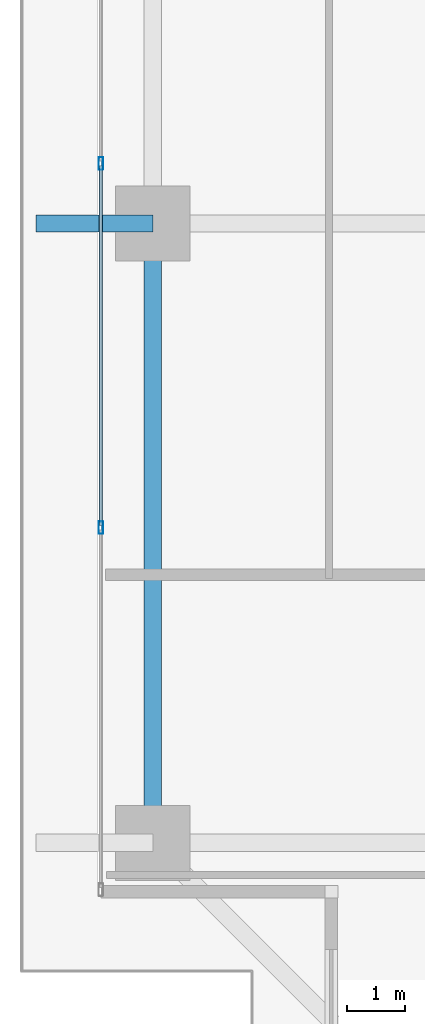
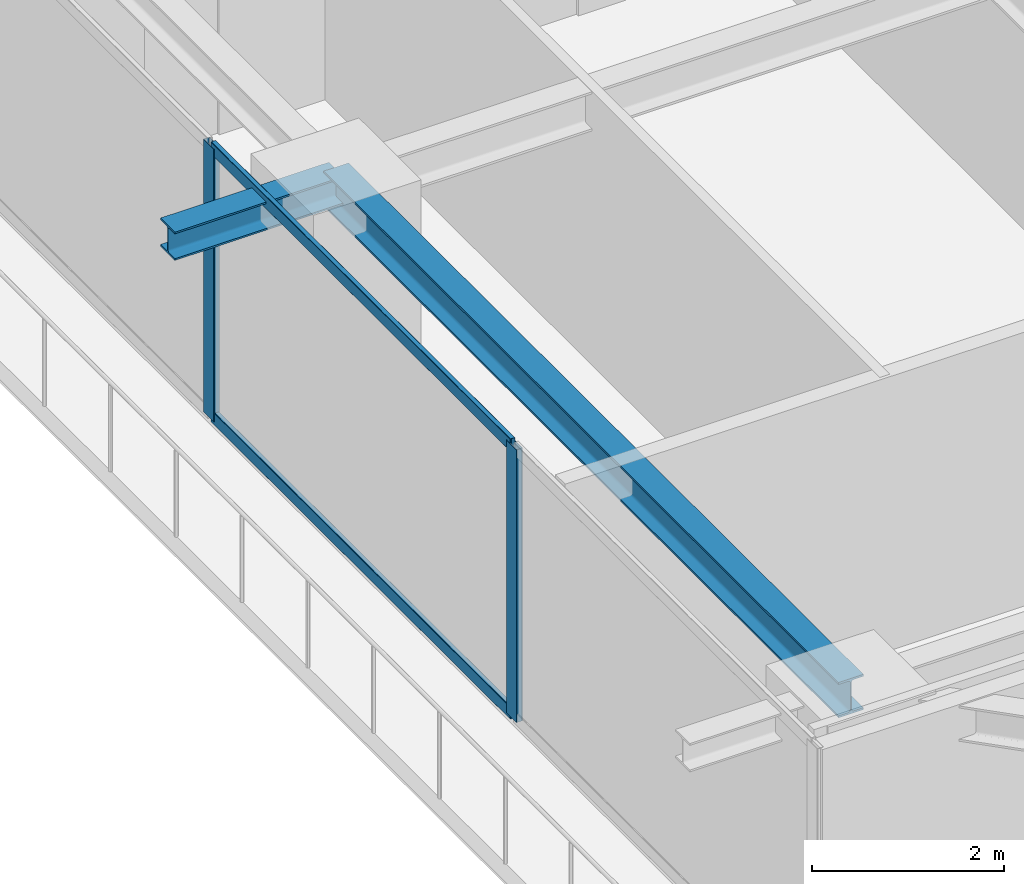
# One storey, part 7 of 35: 4 members, 2 beams, 1 element without a shape of its own.
"""IFC4 building model written with IfcOpenShell, lengths in metres."""

from ifc_helpers import new_model, si_unit, direction, frame, origin, origin_2d, place, context, subcontext, project, spatial, hollow_rectangle, i_section, extrude, source, transform, mapped, material, layer, layer_set, material_profile, profile_set, type_object, element, aggregate, save


model = new_model("IFC4")

# Units and contexts
model_context = context("Model", 3, precision=1e-05, world=origin(), true_north=direction((0.0, 1.0)))
body_context = subcontext(model_context, "Body", "Model", "MODEL_VIEW")
ifc_project = project(units=[si_unit("LENGTHUNIT", "METRE"), si_unit("AREAUNIT", "SQUARE_METRE"), si_unit("VOLUMEUNIT", "CUBIC_METRE"), si_unit("PLANEANGLEUNIT", "RADIAN"), si_unit("MASSUNIT", "GRAM", prefix="KILO")], contexts=[model_context])

# Site, building, storey
site_placement = place(None, origin())
site = spatial("IfcSite", under=ifc_project, at=site_placement, CompositionType="ELEMENT")
building_placement = place(site_placement, origin())
building = spatial("IfcBuilding", under=site, at=building_placement, Name="Serunith Strait Residences", CompositionType="ELEMENT")
storey_placement = place(building_placement, frame((0.0, 0.0, 191.39990234375)))
storey = spatial("IfcBuildingStorey", under=building, at=storey_placement, Name="L48", CompositionType="ELEMENT", Elevation=191.39990234375)

# Beams
ifc_material_1 = material(Name="Steel S355J2", Category="steel")
ifc_material_profile_1 = material_profile(ifc_material_1, i_section(OverallWidth=0.300048828125, OverallDepth=0.449951171875, WebThickness=0.013916015625, FlangeThickness=0.02587890625, FilletRadius=0.027099609375, at=origin_2d()), Name="HEB 450")
ifc_profile_set_1 = profile_set([ifc_material_profile_1], Name="Steel S355J2")
beam_type_1 = type_object("IfcBeamType", Name="BM-HEB450", PredefinedType="BEAM", material=ifc_profile_set_1)
shared_shape_1 = source(origin(), body_context, "Body", "SweptSolid", [
    extrude(i_section(OverallWidth=0.300048828125, OverallDepth=0.449951171875, WebThickness=0.013916015625, FlangeThickness=0.02587890625, FilletRadius=0.027099609375, at=origin_2d()), origin(), (0.0, 0.0, 1.0), 10.75),
])
beam_1_placement = place(storey_placement, frame((8.699951171875, 21.0, 3.26220703125), z_axis=(0.0, -1.0, 0.0), x_axis=(1.0, 0.0, 0.0)))
element("IfcBeam", 1, at=beam_1_placement, inside=storey, type_object=beam_type_1, Name="L48 Perimeter Ring Beam 15", PredefinedType="BEAM", context=body_context, shape_type="MappedRepresentation", body=[
    mapped(shared_shape_1, transform((0.0, 0.0, 0.0), scale=1.0)),
])
ifc_material_profile_2 = material_profile(ifc_material_1, i_section(OverallWidth=0.300048828125, OverallDepth=0.360107421875, WebThickness=0.012451171875, FlangeThickness=0.0224609375, FilletRadius=0.027099609375, at=origin_2d()), Name="HEB 360")
ifc_profile_set_2 = profile_set([ifc_material_profile_2], Name="Steel S355J2")
beam_type_2 = type_object("IfcBeamType", Name="BM-HEB360", PredefinedType="BEAM", material=ifc_profile_set_2)
shared_shape_2 = source(origin(), body_context, "Body", "SweptSolid", [
    extrude(i_section(OverallWidth=0.300048828125, OverallDepth=0.360107421875, WebThickness=0.012451171875, FlangeThickness=0.0224609375, FilletRadius=0.027099609375, at=origin_2d()), origin(), (0.0, 0.0, 1.0), 2.030029296875),
])
beam_2_placement = place(storey_placement, frame((8.699951171875, 21.0, 3.277099609375), z_axis=(-1.0, 0.0, 0.0), x_axis=(0.0, -1.0, 0.0)))
element("IfcBeam", 2, at=beam_2_placement, inside=storey, type_object=beam_type_2, Name="L49 Cantilevered Balcony Rib TC-W2", PredefinedType="BEAM", context=body_context, shape_type="MappedRepresentation", body=[
    mapped(shared_shape_2, transform((0.0, 0.0, 0.0), scale=1.0)),
])

# Curtain wall, members
ifc_material_2 = material(Name="Pale-Silver PVDF Aluminium", Category="aluminium")
ifc_layer = layer(ifc_material_2, 0.199951171875, Name="Pale-Silver PVDF Aluminium")
ifc_layer_set = layer_set([ifc_layer], Name="Pale-Silver PVDF Aluminium")
curtain_wall_type = type_object("IfcCurtainWallType", Name="CW-SYS3", PredefinedType="NOTDEFINED", material=ifc_layer_set)
curtain_wall_placement = place(storey_placement, origin())
curtain_wall = element("IfcCurtainWall", 3, at=curtain_wall_placement, inside=storey, type_object=curtain_wall_type, Name="L48 W Unitised Fritted Curtain Wall", PredefinedType="NOTDEFINED")
ifc_material_profile_3 = material_profile(ifc_material_2, hollow_rectangle(XDim=0.074951171875, YDim=0.219970703125, WallThickness=0.00390625, InnerFilletRadius=0.006103515625, OuterFilletRadius=0.010009765625, at=origin_2d()), Name="ALU 220x75x4")
ifc_profile_set_3 = profile_set([ifc_material_profile_3], Name="Pale-Silver PVDF Aluminium")
member_type_1 = type_object("IfcMemberType", Name="CW-SYS3-MULL", PredefinedType="MULLION", material=ifc_profile_set_3)
shared_shape_3 = source(origin(), body_context, "Body", "SweptSolid", [
    extrude(hollow_rectangle(XDim=0.074951171875, YDim=0.219970703125, WallThickness=0.00390625, InnerFilletRadius=0.006103515625, OuterFilletRadius=0.010009765625, at=origin_2d()), origin(), (0.0, 0.0, 1.0), 3.47509765625),
])
member_1_placement = place(storey_placement, frame((7.800048828125, 22.0400390625, 0.0), z_axis=(0.0, 0.0, 1.0), x_axis=(1.0, 0.0, 0.0)))
member_1 = element("IfcMember", 4, at=member_1_placement, type_object=member_type_1, Name="CW-3 mullion 4", PredefinedType="MULLION", context=body_context, shape_type="MappedRepresentation", body=[
    mapped(shared_shape_3, transform((0.0, 0.0, 0.0), scale=1.0)),
])
member_2_placement = place(storey_placement, frame((7.800048828125, 15.719970703125, 0.0), z_axis=(0.0, 0.0, 1.0), x_axis=(1.0, 0.0, 0.0)))
member_2 = element("IfcMember", 5, at=member_2_placement, type_object=member_type_1, Name="CW-3 mullion 5", PredefinedType="MULLION", context=body_context, shape_type="MappedRepresentation", body=[
    mapped(shared_shape_3, transform((0.0, 0.0, 0.0), scale=1.0)),
])
ifc_material_profile_4 = material_profile(ifc_material_2, hollow_rectangle(XDim=0.06005859375, YDim=0.159912109375, WallThickness=0.00341796875, InnerFilletRadius=0.00537109375, OuterFilletRadius=0.0087890625, at=origin_2d()), Name="ALU 160x60x3.5")
ifc_profile_set_4 = profile_set([ifc_material_profile_4], Name="Pale-Silver PVDF Aluminium")
member_type_2 = type_object("IfcMemberType", Name="CW-SYS3-TRAN", PredefinedType="USERDEFINED", material=ifc_profile_set_4)
shared_shape_4 = source(origin(), body_context, "Body", "SweptSolid", [
    extrude(hollow_rectangle(XDim=0.06005859375, YDim=0.159912109375, WallThickness=0.00341796875, InnerFilletRadius=0.00537109375, OuterFilletRadius=0.0087890625, at=origin_2d()), origin(), (0.0, 0.0, 1.0), 6.244873046875),
])
member_3_placement = place(storey_placement, frame((7.800048828125, 22.00244140625, 0.030029296875), z_axis=(0.0, -1.0, 0.0), x_axis=(1.0, 0.0, 0.0)))
member_3 = element("IfcMember", 6, at=member_3_placement, type_object=member_type_2, Name="CW-3 transom 4.1", ObjectType="TRANSOM", PredefinedType="USERDEFINED", context=body_context, shape_type="MappedRepresentation", body=[
    mapped(shared_shape_4, transform((0.0, 0.0, 0.0), scale=1.0)),
])
member_4_placement = place(storey_placement, frame((7.800048828125, 22.00244140625, 3.445068359375), z_axis=(0.0, -1.0, 0.0), x_axis=(1.0, 0.0, 0.0)))
member_4 = element("IfcMember", 7, at=member_4_placement, type_object=member_type_2, Name="CW-3 transom 4.2", ObjectType="TRANSOM", PredefinedType="USERDEFINED", context=body_context, shape_type="MappedRepresentation", body=[
    mapped(shared_shape_4, transform((0.0, 0.0, 0.0), scale=1.0)),
])
aggregate(curtain_wall, [member_1, member_2, member_3, member_4])

save(model, "model.ifc")
